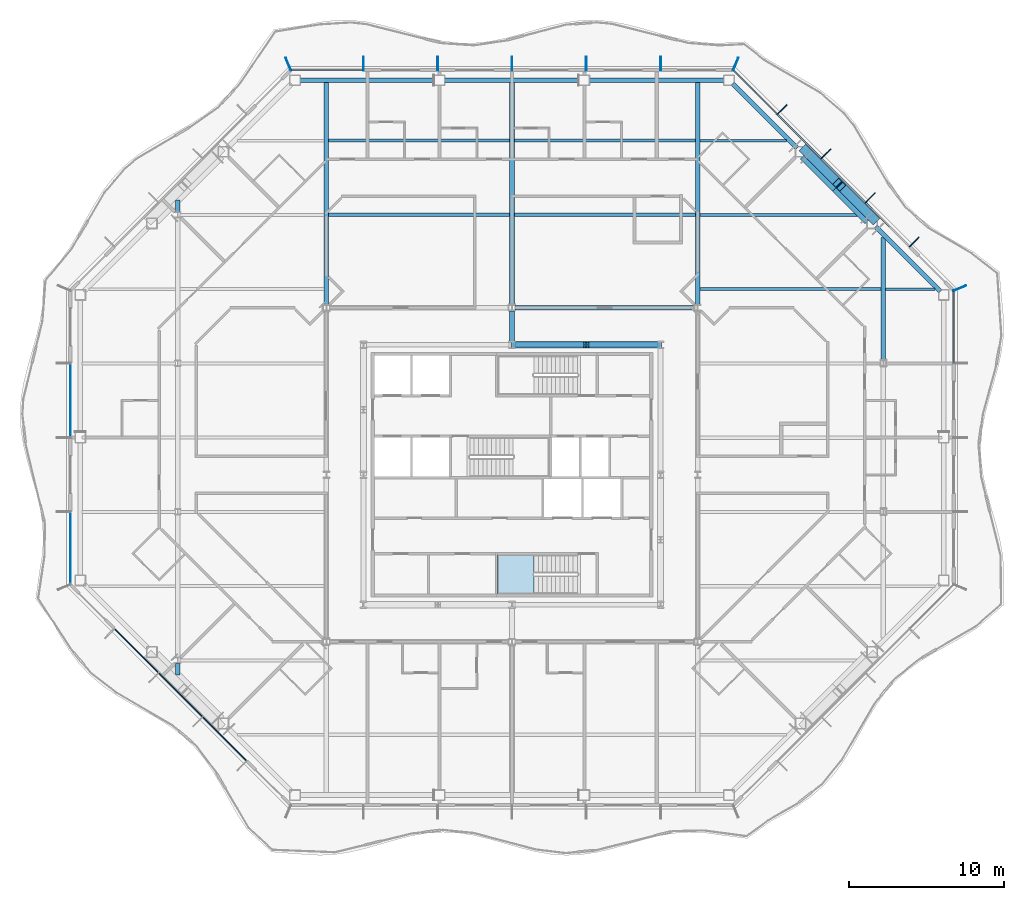
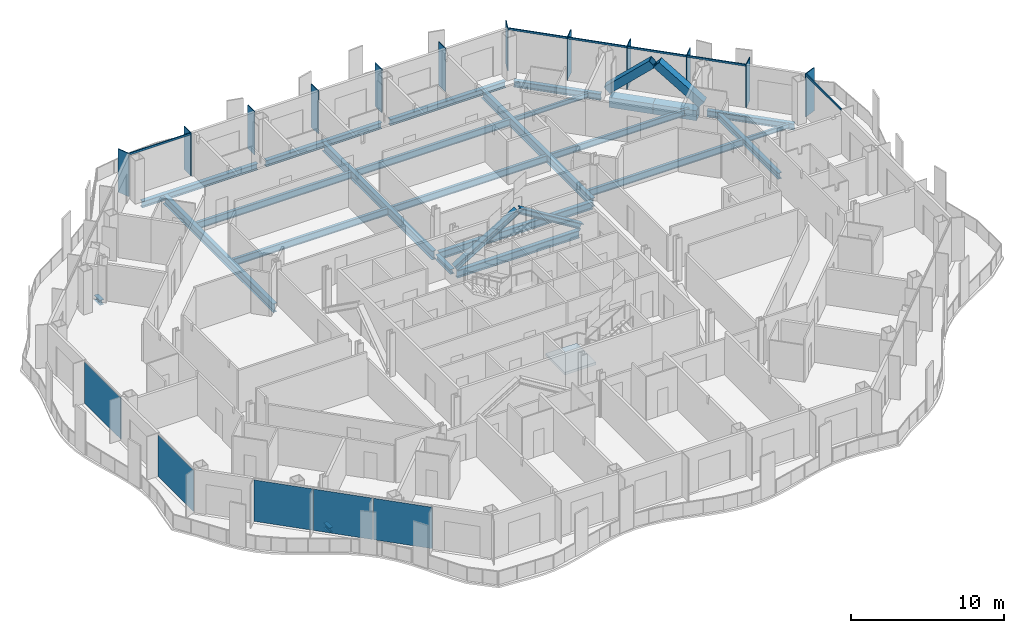
# One storey, part 5 of 21: 24 beams, 22 members, 5 plates, 1 slab, 7 elements without a shape of their own.
"""IFC4 building model written with IfcOpenShell, lengths in metres."""

import ifcopenshell
import ifcopenshell.guid

model = None  # the IFC model being written
_history = None  # IfcOwnerHistory: only IFC2X3 demands one
_inside = {}  # id of a spatial element -> (the spatial element, [elements in it])
_under = {}  # id of a project, library or spatial element -> (it, [spatial elements below it])
_declared = {}  # id of a project -> (the project, [libraries it declares])
_typed = {}  # id of a type object -> (the type object, [elements of that type])
_made_of = {}  # id of a material, layer set ... -> (it, [elements and type objects made of it])


def new_model(schema):
    """Start an empty IFC model of exactly this schema.

    Asked for "IFC4X3", IfcOpenShell would pick the latest addendum, in which some entities
    have other attributes; the version numbers below select the first issue.
    IFC2X3 requires an IfcOwnerHistory on every rooted entity: one is made here for all.
    """
    global model, _history
    if schema == "IFC4X3":
        model = ifcopenshell.file(schema_version=(4, 3, 0, 0))
    else:
        model = ifcopenshell.file(schema=schema)
    _inside.clear()
    _under.clear()
    _declared.clear()
    _typed.clear()
    _made_of.clear()
    _history = None
    if model.schema == "IFC2X3":
        org = make("IfcOrganization", Name="unknown")
        user = make(
            "IfcPersonAndOrganization",
            ThePerson=make("IfcPerson", FamilyName="unknown"),
            TheOrganization=org,
        )
        app = make(
            "IfcApplication",
            ApplicationDeveloper=org,
            Version="unknown",
            ApplicationFullName="unknown",
            ApplicationIdentifier="unknown",
        )
        _history = make(
            "IfcOwnerHistory",
            OwningUser=user,
            OwningApplication=app,
            ChangeAction="ADDED",
            CreationDate=0,
        )
    return model


def make(cls, **values):
    """One entity of the class cls with the attributes given. An attribute that is None is left unset."""
    return model.create_entity(
        cls, **{name: value for name, value in values.items() if value is not None}
    )


def rooted(cls, **values):
    """An entity with a GlobalId (a new one), such as an element, a storey or a relation."""
    return make(cls, GlobalId=ifcopenshell.guid.new(), OwnerHistory=_history, **values)


def si_unit(unit_type, name, prefix=None):
    """IfcSIUnit, for example si_unit("LENGTHUNIT", "METRE", prefix="MILLI")."""
    return make("IfcSIUnit", UnitType=unit_type, Prefix=prefix, Name=name)


def assignment(units):
    """IfcUnitAssignment: the units of a project."""
    return None if units is None else make("IfcUnitAssignment", Units=units)


def point(xyz):
    """IfcCartesianPoint."""
    return None if xyz is None else make("IfcCartesianPoint", Coordinates=xyz)


def direction(xyz):
    """IfcDirection."""
    return None if xyz is None else make("IfcDirection", DirectionRatios=xyz)


def frame(location, z_axis=None, x_axis=None):
    """IfcAxis2Placement3D, a coordinate frame: its origin and axes. An axis left out is left unset."""
    return make(
        "IfcAxis2Placement3D",
        Location=point(location),
        Axis=direction(z_axis),
        RefDirection=direction(x_axis),
    )


def frame_2d(location, x_axis=None):
    """IfcAxis2Placement2D, a coordinate frame in the plane: its origin and x axis."""
    return make(
        "IfcAxis2Placement2D", Location=point(location), RefDirection=direction(x_axis)
    )


def origin():
    """The frame at (0, 0, 0) with its axes left unset."""
    return frame((0.0, 0.0, 0.0))


def origin_2d():
    """The frame at (0, 0) in the plane with its x axis left unset."""
    return frame_2d((0.0, 0.0))


def place(relative_to, where):
    """IfcLocalPlacement: puts the frame where relative to a parent placement (None: the world)."""
    return make(
        "IfcLocalPlacement", PlacementRelTo=relative_to, RelativePlacement=where
    )


def context(
    kind, dimensions, precision=None, world=None, true_north=None, identifier=None
):
    """IfcGeometricRepresentationContext, for example the 3D "Model" context."""
    return make(
        "IfcGeometricRepresentationContext",
        ContextIdentifier=identifier,
        ContextType=kind,
        CoordinateSpaceDimension=dimensions,
        Precision=precision,
        WorldCoordinateSystem=world,
        TrueNorth=true_north,
    )


def subcontext(parent, identifier, kind, view, scale=None):
    """IfcGeometricRepresentationSubContext, for example "Body" below "Model"."""
    return make(
        "IfcGeometricRepresentationSubContext",
        ContextIdentifier=identifier,
        ContextType=kind,
        ParentContext=parent,
        TargetScale=scale,
        TargetView=view,
    )


def project(units=None, contexts=None):
    """IfcProject with its units and contexts."""
    return rooted(
        "IfcProject",
        Name="project",
        RepresentationContexts=contexts,
        UnitsInContext=assignment(units),
    )


def spatial(cls, under=None, at=None, **own):
    """A site, building, storey or space (cls), placed at a placement, below another one or the project."""
    s = rooted(cls, ObjectPlacement=at, **own)
    if under is not None:
        _under.setdefault(under.id(), (under, []))[1].append(s)
    return s


def polyline(points):
    """IfcPolyline through the points."""
    return make("IfcPolyline", Points=[point(p) for p in points])


def profile(cls, at=None, kind="AREA", **sizes):
    """A parametric profile (cls). Its sizes go by their IFC names, for example OverallWidth=200.0."""
    return make(cls, ProfileType=kind, Position=at, **sizes)


def rectangle(**sizes):
    """IfcRectangleProfileDef."""
    return profile("IfcRectangleProfileDef", **sizes)


def hollow_rectangle(**sizes):
    """IfcRectangleHollowProfileDef."""
    return profile("IfcRectangleHollowProfileDef", **sizes)


def i_section(**sizes):
    """IfcIShapeProfileDef."""
    return profile("IfcIShapeProfileDef", **sizes)


def outline(outer, holes=None, kind="AREA"):
    """IfcArbitraryClosedProfileDef: a profile drawn as a closed curve; with holes, ...WithVoids."""
    if holes is None:
        return make("IfcArbitraryClosedProfileDef", ProfileType=kind, OuterCurve=outer)
    return make(
        "IfcArbitraryProfileDefWithVoids",
        ProfileType=kind,
        OuterCurve=outer,
        InnerCurves=holes,
    )


def extrude(swept, where, along, depth):
    """IfcExtrudedAreaSolid: the profile swept, set in the frame where, extruded along a direction by depth."""
    return make(
        "IfcExtrudedAreaSolid",
        SweptArea=swept,
        Position=where,
        ExtrudedDirection=direction(along),
        Depth=depth,
    )


def shape(context_of_items, identifier, shape_type, items):
    """IfcShapeRepresentation: the items that make up one representation, for example the "Body"."""
    return make(
        "IfcShapeRepresentation",
        ContextOfItems=context_of_items,
        RepresentationIdentifier=identifier,
        RepresentationType=shape_type,
        Items=items,
    )


def material(Name=None, Category=None):
    """IfcMaterial."""
    return make("IfcMaterial", Name=Name, Category=Category)


def layer(
    of_material, thickness, ventilated=None, Name=None, Category=None, Priority=None
):
    """IfcMaterialLayer: one layer of a wall or slab, of a material (None: an air gap)."""
    return make(
        "IfcMaterialLayer",
        Material=of_material,
        LayerThickness=thickness,
        IsVentilated=ventilated,
        Name=Name,
        Category=Category,
        Priority=Priority,
    )


def layer_set(layers, Name=None):
    """IfcMaterialLayerSet."""
    return make("IfcMaterialLayerSet", MaterialLayers=layers, LayerSetName=Name)


def material_profile(
    of_material, cross_section, Name=None, Category=None, Priority=None
):
    """IfcMaterialProfile: a cross section and its material."""
    return make(
        "IfcMaterialProfile",
        Name=Name,
        Material=of_material,
        Profile=cross_section,
        Priority=Priority,
        Category=Category,
    )


def profile_set(profiles, Name=None, composite=None):
    """IfcMaterialProfileSet."""
    return make(
        "IfcMaterialProfileSet",
        Name=Name,
        MaterialProfiles=profiles,
        CompositeProfile=composite,
    )


def made_of(thing, what):
    """Note that an element or type object is made of a material, layer set ...; save() writes the relation."""
    if what is not None:
        _made_of.setdefault(what.id(), (what, []))[1].append(thing)
    return thing


def type_object(cls, material=None, **own):
    """A type object (cls), such as IfcWallType, which elements share."""
    return made_of(rooted(cls, **own), material)


def element(
    cls,
    number,
    at=None,
    inside=None,
    cuts=None,
    type_object=None,
    material=None,
    context=None,
    identifier="Body",
    shape_type=None,
    held_by="IfcProductDefinitionShape",
    body=None,
    shapes=None,
    **own,
):
    """One element of the class cls, such as IfcWall. Its Tag is "e" and its number.

    at: its placement. inside: the storey or other place that contains it. cuts: it is an
    opening in that element (IfcRelVoidsElement). A single representation is given by context,
    identifier, shape_type and body (its items); several are given by shapes. held_by: the class
    of the entity that holds the representations. save() writes the other relations.
    """
    e = rooted(cls, Tag="e%d" % number, ObjectPlacement=at, **own)
    if body is not None:
        shapes = [shape(context, identifier, shape_type, body)]
    if shapes is not None:
        e.Representation = make(held_by, Representations=shapes)
    if inside is not None:
        _inside.setdefault(inside.id(), (inside, []))[1].append(e)
    if cuts is not None:
        rooted(
            "IfcRelVoidsElement", RelatingBuildingElement=cuts, RelatedOpeningElement=e
        )
    if type_object is not None:
        _typed.setdefault(type_object.id(), (type_object, []))[1].append(e)
    return made_of(e, material)


def aggregate(whole, parts):
    """IfcRelAggregates: a whole, such as a stair, and the parts it consists of."""
    return rooted("IfcRelAggregates", RelatingObject=whole, RelatedObjects=parts)


def save(model, path):
    """Write the relations noted so far, then the file.

    IfcRelAggregates (storeys below a building ...), IfcRelContainedInSpatialStructure (elements
    in a storey), IfcRelDefinesByType, IfcRelAssociatesMaterial and IfcRelDeclares: one each for
    every whole, place, type object, material and project.
    """
    for whole, parts in _under.values():
        aggregate(whole, parts)
    for where, things in _inside.values():
        rooted(
            "IfcRelContainedInSpatialStructure",
            RelatedElements=things,
            RelatingStructure=where,
        )
    for kind, things in _typed.values():
        rooted("IfcRelDefinesByType", RelatedObjects=things, RelatingType=kind)
    for what, things in _made_of.values():
        rooted("IfcRelAssociatesMaterial", RelatedObjects=things, RelatingMaterial=what)
    for by, libraries in _declared.values():
        rooted("IfcRelDeclares", RelatingContext=by, RelatedDefinitions=libraries)
    model.write(path)


model = new_model("IFC4")

# Units and contexts
model_context = context("Model", 3, precision=1e-05, world=origin(), true_north=direction((0.0, 1.0)))
body_context = subcontext(model_context, "Body", "Model", "MODEL_VIEW")
ifc_project = project(units=[si_unit("LENGTHUNIT", "METRE"), si_unit("AREAUNIT", "SQUARE_METRE"), si_unit("VOLUMEUNIT", "CUBIC_METRE"), si_unit("PLANEANGLEUNIT", "RADIAN"), si_unit("MASSUNIT", "GRAM", prefix="KILO")], contexts=[model_context])

# Site, building, storey
site_placement = place(None, origin())
site = spatial("IfcSite", under=ifc_project, at=site_placement, CompositionType="ELEMENT")
building_placement = place(site_placement, origin())
building = spatial("IfcBuilding", under=site, at=building_placement, Name="Cairn Pilgrim Tower", CompositionType="ELEMENT")
storey_placement = place(building_placement, frame((0.0, 0.0, 136.199951171875)))
storey = spatial("IfcBuildingStorey", under=building, at=storey_placement, Name="L33", CompositionType="ELEMENT", Elevation=136.199951171875)

# Members
ifc_material_1 = material(Name="Structural steel S460M", Category="steel")
ifc_material_profile_1 = material_profile(ifc_material_1, hollow_rectangle(XDim=0.60009765625, YDim=0.60009765625, WallThickness=0.034912109375, at=origin_2d()), Name="BOX 600x600x35")
ifc_profile_set_1 = profile_set([ifc_material_profile_1], Name="Structural steel S460M")
member_type_1 = type_object("IfcMemberType", Name="BOX 600x600x35 BRACE", PredefinedType="BRACE", material=ifc_profile_set_1)
for number, where, z_axis, x_axis, name in (
    (1, (30.613525390625, 18.888427734375, 0.150146484375), (-0.535551349337, 0.535551349337, 0.652969757681), (-0.707106781187, -0.707106781187, 0.0), "XB-NE2-NE3-1"),
    (2, (26.08837890625, 23.41357421875, 0.150146484375), (0.535594490476, -0.535533998665, 0.652948602913), (0.707066846316, 0.707146713802, 0.0), "XB-NE2-NE3-2"),
):
    element("IfcMember", number, at=place(storey_placement, frame(where, z_axis=z_axis, x_axis=x_axis)), inside=storey, type_object=member_type_1, Name=name, PredefinedType="BRACE", context=body_context, shape_type="SweptSolid", body=[
        extrude(hollow_rectangle(XDim=0.60009765625, YDim=0.60009765625, WallThickness=0.034912109375, at=origin_2d()), origin(), (0.0, 0.0, 1.0), 4.035888671875),
    ])

# Beams
ifc_material_2 = material(Name="Structural steel S355J2", Category="steel")
ifc_material_profile_2 = material_profile(ifc_material_2, hollow_rectangle(XDim=0.699951171875, YDim=0.800048828125, WallThickness=0.0400390625, at=origin_2d()), Name="BOX 700x800x40")
ifc_profile_set_2 = profile_set([ifc_material_profile_2], Name="Structural steel S355J2")
beam_type_1 = type_object("IfcBeamType", Name="BOX 700x800x40 RING GIRDER", PredefinedType="SPANDREL", material=ifc_profile_set_2)
for number, where, z_axis, x_axis, name in (
    (3, (30.2529296875, 18.874267578125, -0.550048828125), (-0.707106781187, 0.707106781187, 0.0), (-0.707106781187, -0.707106781187, 0.0), "RG2-NE2-NE3-1"),
    (4, (28.16357421875, 20.963623046875, -0.550048828125), (-0.707106781187, 0.707106781187, 0.0), (-0.707106781187, -0.707106781187, 0.0), "RG2-NE2-NE3-2"),
):
    element("IfcBeam", number, at=place(storey_placement, frame(where, z_axis=z_axis, x_axis=x_axis)), inside=storey, type_object=beam_type_1, Name=name, PredefinedType="SPANDREL", context=body_context, shape_type="SweptSolid", body=[
        extrude(hollow_rectangle(XDim=0.699951171875, YDim=0.800048828125, WallThickness=0.0400390625, at=origin_2d()), origin(), (0.0, 0.0, 1.0), 2.954833984375),
    ])

# Curtain wall, members
ifc_material_3 = material(Name="Aluminium alloy 6063-T6 bronze anodised with Bronze tinted laminated low-E glass 8+16+8.8", Category="aluminium")
curtain_wall_type_1 = type_object("IfcCurtainWallType", Name="CHAMFER CORNER CURTAIN WALL", PredefinedType="NOTDEFINED", material=ifc_material_3)
curtain_wall_1_placement = place(storey_placement, origin())
curtain_wall_1 = element("IfcCurtainWall", 5, at=curtain_wall_1_placement, inside=storey, type_object=curtain_wall_type_1, Name="Chamfer Corner Curtain Wall NE", PredefinedType="NOTDEFINED")
ifc_material_4 = material(Name="Aluminium alloy 6063-T6 bronze anodised", Category="aluminium")
ifc_material_profile_3 = material_profile(ifc_material_4, rectangle(XDim=0.89990234375, YDim=0.06005859375, at=origin_2d()), Name="FIN MULLION 60x900 BRONZE")
ifc_profile_set_3 = profile_set([ifc_material_profile_3], Name="Aluminium alloy 6063-T6 bronze anodised")
member_type_2 = type_object("IfcMemberType", Name="FIN MULLION 60x900 BRONZE", PredefinedType="MULLION", material=ifc_profile_set_3)
member_1_placement = place(storey_placement, frame((36.137939453125, 14.457275390625, 0.0), z_axis=(0.0, 0.0, 1.0), x_axis=(0.923879532511, 0.382683432365, 0.0)))
member_1 = element("IfcMember", 6, at=member_1_placement, type_object=member_type_2, Name="Fin mullion NE1", PredefinedType="MULLION", context=body_context, shape_type="SweptSolid", body=[
    extrude(rectangle(XDim=0.89990234375, YDim=0.06005859375, at=origin_2d()), origin(), (0.0, 0.0, 1.0), 3.449951171875),
])
member_2_placement = place(storey_placement, frame((33.1962890625, 17.444091796875, 0.0), z_axis=(0.0, 0.0, 1.0), x_axis=(0.707106781187, 0.707106781187, 0.0)))
member_2 = element("IfcMember", 7, at=member_2_placement, type_object=member_type_2, Name="Fin mullion NE2", PredefinedType="MULLION", context=body_context, shape_type="SweptSolid", body=[
    extrude(rectangle(XDim=0.89990234375, YDim=0.06005859375, at=origin_2d()), origin(), (0.0, 0.0, 1.0), 3.449951171875),
])
member_3_placement = place(storey_placement, frame((30.345458984375, 20.294921875, 0.0), z_axis=(0.0, 0.0, 1.0), x_axis=(0.707106781187, 0.707106781187, 0.0)))
member_3 = element("IfcMember", 8, at=member_3_placement, type_object=member_type_2, Name="Fin mullion NE3", PredefinedType="MULLION", context=body_context, shape_type="SweptSolid", body=[
    extrude(rectangle(XDim=0.89990234375, YDim=0.06005859375, at=origin_2d()), origin(), (0.0, 0.0, 1.0), 3.449951171875),
])
member_4_placement = place(storey_placement, frame((27.494873046875, 23.1455078125, 0.0), z_axis=(0.0, 0.0, 1.0), x_axis=(0.707106781187, 0.707106781187, 0.0)))
member_4 = element("IfcMember", 9, at=member_4_placement, type_object=member_type_2, Name="Fin mullion NE4", PredefinedType="MULLION", context=body_context, shape_type="SweptSolid", body=[
    extrude(rectangle(XDim=0.89990234375, YDim=0.06005859375, at=origin_2d()), origin(), (0.0, 0.0, 1.0), 3.449951171875),
])
member_5_placement = place(storey_placement, frame((24.64404296875, 25.996337890625, 0.0), z_axis=(0.0, 0.0, 1.0), x_axis=(0.707106781187, 0.707106781187, 0.0)))
member_5 = element("IfcMember", 10, at=member_5_placement, type_object=member_type_2, Name="Fin mullion NE5", PredefinedType="MULLION", context=body_context, shape_type="SweptSolid", body=[
    extrude(rectangle(XDim=0.89990234375, YDim=0.06005859375, at=origin_2d()), origin(), (0.0, 0.0, 1.0), 3.449951171875),
])

curtain_wall_type_2 = type_object("IfcCurtainWallType", Name="TOWER STICK CURTAIN WALL NS", PredefinedType="NOTDEFINED", material=ifc_material_3)
curtain_wall_2_placement = place(storey_placement, origin())
curtain_wall_2 = element("IfcCurtainWall", 11, at=curtain_wall_2_placement, inside=storey, type_object=curtain_wall_type_2, Name="Tower Stick Curtain Wall Ns N", PredefinedType="NOTDEFINED")
member_6_placement = place(storey_placement, frame((21.6572265625, 28.93798828125, 0.0), z_axis=(0.0, 0.0, 1.0), x_axis=(0.382683432365, 0.923879532511, 0.0)))
member_6 = element("IfcMember", 12, at=member_6_placement, type_object=member_type_2, Name="Fin mullion N1", PredefinedType="MULLION", context=body_context, shape_type="SweptSolid", body=[
    extrude(rectangle(XDim=0.89990234375, YDim=0.06005859375, at=origin_2d()), origin(), (0.0, 0.0, 1.0), 3.449951171875),
])
member_7_placement = place(storey_placement, frame((16.800048828125, 28.969970703125, 0.0), z_axis=(0.0, 0.0, 1.0), x_axis=(0.0, 1.0, 0.0)))
member_7 = element("IfcMember", 13, at=member_7_placement, type_object=member_type_2, Name="Fin mullion N2", PredefinedType="MULLION", context=body_context, shape_type="SweptSolid", body=[
    extrude(rectangle(XDim=0.89990234375, YDim=0.06005859375, at=origin_2d()), origin(), (0.0, 0.0, 1.0), 3.449951171875),
])
member_8_placement = place(storey_placement, frame((12.0, 28.969970703125, 0.0), z_axis=(0.0, 0.0, 1.0), x_axis=(0.0, 1.0, 0.0)))
member_8 = element("IfcMember", 14, at=member_8_placement, type_object=member_type_2, Name="Fin mullion N3", PredefinedType="MULLION", context=body_context, shape_type="SweptSolid", body=[
    extrude(rectangle(XDim=0.89990234375, YDim=0.06005859375, at=origin_2d()), origin(), (0.0, 0.0, 1.0), 3.449951171875),
])
member_9_placement = place(storey_placement, frame((7.199951171875, 28.969970703125, 0.0), z_axis=(0.0, 0.0, 1.0), x_axis=(0.0, 1.0, 0.0)))
member_9 = element("IfcMember", 15, at=member_9_placement, type_object=member_type_2, Name="Fin mullion N4", PredefinedType="MULLION", context=body_context, shape_type="SweptSolid", body=[
    extrude(rectangle(XDim=0.89990234375, YDim=0.06005859375, at=origin_2d()), origin(), (0.0, 0.0, 1.0), 3.449951171875),
])
member_10_placement = place(storey_placement, frame((2.39990234375, 28.969970703125, 0.0), z_axis=(0.0, 0.0, 1.0), x_axis=(0.0, 1.0, 0.0)))
member_10 = element("IfcMember", 16, at=member_10_placement, type_object=member_type_2, Name="Fin mullion N5", PredefinedType="MULLION", context=body_context, shape_type="SweptSolid", body=[
    extrude(rectangle(XDim=0.89990234375, YDim=0.06005859375, at=origin_2d()), origin(), (0.0, 0.0, 1.0), 3.449951171875),
])
member_11_placement = place(storey_placement, frame((-2.39990234375, 28.969970703125, 0.0), z_axis=(0.0, 0.0, 1.0), x_axis=(0.0, 1.0, 0.0)))
member_11 = element("IfcMember", 17, at=member_11_placement, type_object=member_type_2, Name="Fin mullion N6", PredefinedType="MULLION", context=body_context, shape_type="SweptSolid", body=[
    extrude(rectangle(XDim=0.89990234375, YDim=0.06005859375, at=origin_2d()), origin(), (0.0, 0.0, 1.0), 3.449951171875),
])

# Curtain wall, member
curtain_wall_3_placement = place(storey_placement, origin())
curtain_wall_3 = element("IfcCurtainWall", 18, at=curtain_wall_3_placement, inside=storey, type_object=curtain_wall_type_1, Name="Chamfer Corner Curtain Wall NW", PredefinedType="NOTDEFINED")
member_12_placement = place(storey_placement, frame((-7.257080078125, 28.93798828125, 0.0), z_axis=(0.0, 0.0, 1.0), x_axis=(-0.382683432365, 0.923879532511, 0.0)))
member_12 = element("IfcMember", 19, at=member_12_placement, type_object=member_type_2, Name="Fin mullion NW1", PredefinedType="MULLION", context=body_context, shape_type="SweptSolid", body=[
    extrude(rectangle(XDim=0.89990234375, YDim=0.06005859375, at=origin_2d()), origin(), (0.0, 0.0, 1.0), 3.449951171875),
])
aggregate(curtain_wall_3, [member_12])

# Members
ifc_material_profile_4 = material_profile(ifc_material_1, i_section(OverallWidth=0.408935546875, OverallDepth=0.425048828125, WebThickness=0.03271484375, FlangeThickness=0.052490234375, FilletRadius=0.014892578125, at=origin_2d()), Name="HD 400x421")
ifc_profile_set_4 = profile_set([ifc_material_profile_4], Name="Structural steel S460M")
member_type_3 = type_object("IfcMemberType", Name="HD 400x421 BRACE", PredefinedType="BRACE", material=ifc_profile_set_4)
for number, where, z_axis, x_axis, name in (
    (20, (16.757568359375, 10.800048828125, 0.10009765625), (-0.851063308605, 0.0, 0.525063086444), (0.0, -1.0, 0.0), "KB-3A"),
    (21, (7.242431640625, 10.800048828125, 0.10009765625), (0.851063308605, 0.0, 0.525063086444), (0.0, 1.0, 0.0), "KB-3B"),
):
    element("IfcMember", number, at=place(storey_placement, frame(where, z_axis=z_axis, x_axis=x_axis)), inside=storey, type_object=member_type_3, Name=name, PredefinedType="BRACE", context=body_context, shape_type="SweptSolid", body=[
        extrude(i_section(OverallWidth=0.408935546875, OverallDepth=0.425048828125, WebThickness=0.03271484375, FlangeThickness=0.052490234375, FilletRadius=0.014892578125, at=origin_2d()), origin(), (0.0, 0.0, 1.0), 5.527587890625),
    ])

# Beams
ifc_material_profile_5 = material_profile(ifc_material_2, i_section(OverallWidth=0.300048828125, OverallDepth=0.39990234375, WebThickness=0.013427734375, FlangeThickness=0.02392578125, FilletRadius=0.027099609375, at=origin_2d()), Name="HEB 400")
ifc_profile_set_5 = profile_set([ifc_material_profile_5], Name="Structural steel S355J2")
beam_type_2 = type_object("IfcBeamType", Name="HEB 400 GIRDER", PredefinedType="BEAM", material=ifc_profile_set_5)
for number, where, z_axis, x_axis, name in (
    (22, (-14.39990234375, -10.545166015625, -0.349853515625), (0.0, 1.0, 0.0), (-1.0, 0.0, 0.0), "PG1-E1"),
    (23, (-14.39990234375, 19.3994140625, -0.349853515625), (0.0, 1.0, 0.0), (-1.0, 0.0, 0.0), "PG1-E2"),
):
    element("IfcBeam", number, at=place(storey_placement, frame(where, z_axis=z_axis, x_axis=x_axis)), inside=storey, type_object=beam_type_2, Name=name, PredefinedType="BEAM", context=body_context, shape_type="SweptSolid", body=[
        extrude(i_section(OverallWidth=0.300048828125, OverallDepth=0.39990234375, WebThickness=0.013427734375, FlangeThickness=0.02392578125, FilletRadius=0.027099609375, at=origin_2d()), origin(), (0.0, 0.0, 1.0), 0.74560546875),
    ])
beam_1_placement = place(storey_placement, frame((7.199951171875, 11.011962890625, -0.349853515625), z_axis=(0.0, 1.0, 0.0), x_axis=(-1.0, 0.0, 0.0)))
element("IfcBeam", 24, at=beam_1_placement, inside=storey, type_object=beam_type_2, Name="PG3-E2", PredefinedType="BEAM", context=body_context, shape_type="SweptSolid", body=[
    extrude(i_section(OverallWidth=0.300048828125, OverallDepth=0.39990234375, WebThickness=0.013427734375, FlangeThickness=0.02392578125, FilletRadius=0.027099609375, at=origin_2d()), origin(), (0.0, 0.0, 1.0), 1.983642578125),
])
ifc_material_profile_6 = material_profile(ifc_material_2, i_section(OverallWidth=0.300048828125, OverallDepth=0.5, WebThickness=0.014404296875, FlangeThickness=0.028076171875, FilletRadius=0.027099609375, at=origin_2d()), Name="HEB 500")
ifc_profile_set_6 = profile_set([ifc_material_profile_6], Name="Structural steel S355J2")
beam_type_3 = type_object("IfcBeamType", Name="HEB 500 GIRDER", PredefinedType="BEAM", material=ifc_profile_set_6)
beam_2_placement = place(storey_placement, frame((31.199951171875, 9.804443359375, -0.39990234375), z_axis=(0.0, 1.0, 0.0), x_axis=(-1.0, 0.0, 0.0)))
element("IfcBeam", 25, at=beam_2_placement, inside=storey, type_object=beam_type_3, Name="PG5-3", PredefinedType="BEAM", context=body_context, shape_type="SweptSolid", body=[
    extrude(i_section(OverallWidth=0.300048828125, OverallDepth=0.5, WebThickness=0.014404296875, FlangeThickness=0.028076171875, FilletRadius=0.027099609375, at=origin_2d()), origin(), (0.0, 0.0, 1.0), 7.940673828125),
])
ifc_material_profile_7 = material_profile(ifc_material_2, i_section(OverallWidth=0.300048828125, OverallDepth=0.5, WebThickness=0.014404296875, FlangeThickness=0.028076171875, FilletRadius=0.027099609375, at=origin_2d()), Name="HEB 500")
ifc_profile_set_7 = profile_set([ifc_material_profile_7], Name="Structural steel S355J2")
beam_type_4 = type_object("IfcBeamType", Name="HEB 500 RING GIRDER", PredefinedType="SPANDREL", material=ifc_profile_set_7)
for number, where, z_axis, x_axis, name in (
    (26, (34.877197265625, 14.25, -0.39990234375), (-0.707106781187, 0.707106781187, 0.0), (-0.707106781187, -0.707106781187, 0.0), "RG2-NE1-NE2"),
    (27, (25.628662109375, 23.49853515625, -0.39990234375), (-0.707106781187, 0.707106781187, 0.0), (-0.707106781187, -0.707106781187, 0.0), "RG2-NE3-N1"),
):
    element("IfcBeam", number, at=place(storey_placement, frame(where, z_axis=z_axis, x_axis=x_axis)), inside=storey, type_object=beam_type_4, Name=name, PredefinedType="SPANDREL", context=body_context, shape_type="SweptSolid", body=[
        extrude(i_section(OverallWidth=0.300048828125, OverallDepth=0.5, WebThickness=0.014404296875, FlangeThickness=0.028076171875, FilletRadius=0.027099609375, at=origin_2d()), origin(), (0.0, 0.0, 1.0), 5.90966796875),
    ])
for number, where, z_axis, x_axis, name in (
    (28, (20.912109375, 27.89990234375, -0.39990234375), (-1.0, 0.0, 0.0), (0.0, -1.0, 0.0), "RG2-N1-N2"),
    (29, (11.560791015625, 27.89990234375, -0.39990234375), (-1.0, 0.0, 0.0), (0.0, -1.0, 0.0), "RG2-N2-N3"),
    (30, (2.209228515625, 27.89990234375, -0.39990234375), (-1.0, 0.0, 0.0), (0.0, -1.0, 0.0), "RG2-N3-NW1"),
):
    element("IfcBeam", number, at=place(storey_placement, frame(where, z_axis=z_axis, x_axis=x_axis)), inside=storey, type_object=beam_type_4, Name=name, PredefinedType="SPANDREL", context=body_context, shape_type="SweptSolid", body=[
        extrude(i_section(OverallWidth=0.300048828125, OverallDepth=0.5, WebThickness=0.014404296875, FlangeThickness=0.028076171875, FilletRadius=0.027099609375, at=origin_2d()), origin(), (0.0, 0.0, 1.0), 8.721435546875),
    ])
ifc_material_profile_8 = material_profile(ifc_material_2, i_section(OverallWidth=0.300048828125, OverallDepth=0.60009765625, WebThickness=0.015380859375, FlangeThickness=0.030029296875, FilletRadius=0.027099609375, at=origin_2d()), Name="HEB 600")
ifc_profile_set_8 = profile_set([ifc_material_profile_8], Name="Structural steel S355J2")
beam_type_5 = type_object("IfcBeamType", Name="HEB 600 CORE BEAM", PredefinedType="BEAM", material=ifc_profile_set_8)
beam_3_placement = place(storey_placement, frame((16.609130859375, 10.800048828125, -0.449951171875), z_axis=(-1.0, 0.0, 0.0), x_axis=(0.0, -1.0, 0.0)))
element("IfcBeam", 31, at=beam_3_placement, inside=storey, type_object=beam_type_5, Name="CB-5", PredefinedType="BEAM", context=body_context, shape_type="SweptSolid", body=[
    extrude(i_section(OverallWidth=0.300048828125, OverallDepth=0.60009765625, WebThickness=0.015380859375, FlangeThickness=0.030029296875, FilletRadius=0.027099609375, at=origin_2d()), origin(), (0.0, 0.0, 1.0), 9.21826171875),
])
ifc_material_profile_9 = material_profile(ifc_material_2, i_section(OverallWidth=0.300048828125, OverallDepth=0.60009765625, WebThickness=0.015380859375, FlangeThickness=0.030029296875, FilletRadius=0.027099609375, at=origin_2d()), Name="HEB 600")
ifc_profile_set_9 = profile_set([ifc_material_profile_9], Name="Structural steel S355J2")
beam_type_6 = type_object("IfcBeamType", Name="HEB 600 INNER GIRDER", PredefinedType="BEAM", material=ifc_profile_set_9)
beam_4_placement = place(storey_placement, frame((7.404541015625, 13.199951171875, -0.449951171875), z_axis=(1.0, 0.0, 0.0), x_axis=(0.0, 1.0, 0.0)))
element("IfcBeam", 32, at=beam_4_placement, inside=storey, type_object=beam_type_6, Name="IG2-2", PredefinedType="BEAM", context=body_context, shape_type="SweptSolid", body=[
    extrude(i_section(OverallWidth=0.300048828125, OverallDepth=0.60009765625, WebThickness=0.015380859375, FlangeThickness=0.030029296875, FilletRadius=0.027099609375, at=origin_2d()), origin(), (0.0, 0.0, 1.0), 11.591064453125),
])
ifc_material_profile_10 = material_profile(ifc_material_2, i_section(OverallWidth=0.300048828125, OverallDepth=0.699951171875, WebThickness=0.01708984375, FlangeThickness=0.031982421875, FilletRadius=0.027099609375, at=origin_2d()), Name="HEB 700")
ifc_profile_set_10 = profile_set([ifc_material_profile_10], Name="Structural steel S355J2")
beam_type_7 = type_object("IfcBeamType", Name="HEB 700 GIRDER", PredefinedType="BEAM", material=ifc_profile_set_10)
for number, where, z_axis, x_axis, name in (
    (33, (-4.800048828125, 13.404541015625, -0.5), (0.0, 1.0, 0.0), (-1.0, 0.0, 0.0), "PG2-4"),
    (34, (7.199951171875, 13.404541015625, -0.5), (0.0, 1.0, 0.0), (-1.0, 0.0, 0.0), "PG3-2"),
    (35, (19.199951171875, 13.404541015625, -0.5), (0.0, 1.0, 0.0), (-1.0, 0.0, 0.0), "PG4-4"),
):
    element("IfcBeam", number, at=place(storey_placement, frame(where, z_axis=z_axis, x_axis=x_axis)), inside=storey, type_object=beam_type_7, Name=name, PredefinedType="BEAM", context=body_context, shape_type="SweptSolid", body=[
        extrude(i_section(OverallWidth=0.300048828125, OverallDepth=0.699951171875, WebThickness=0.01708984375, FlangeThickness=0.031982421875, FilletRadius=0.027099609375, at=origin_2d()), origin(), (0.0, 0.0, 1.0), 14.37548828125),
    ])
ifc_material_profile_11 = material_profile(ifc_material_2, i_section(OverallWidth=0.169921875, OverallDepth=0.360107421875, WebThickness=0.008056640625, FlangeThickness=0.0126953125, FilletRadius=0.01806640625, at=origin_2d()), Name="IPE 360")
ifc_profile_set_11 = profile_set([ifc_material_profile_11], Name="Structural steel S355J2")
beam_type_8 = type_object("IfcBeamType", Name="IPE 360 SECONDARY BEAM", PredefinedType="JOIST", material=ifc_profile_set_11)
beam_5_placement = place(storey_placement, frame((31.35009765625, 14.39990234375, -0.329833984375), z_axis=(1.0, 0.0, 0.0), x_axis=(0.0, 1.0, 0.0)))
element("IfcBeam", 36, at=beam_5_placement, inside=storey, type_object=beam_type_8, Name="SB7-4", PredefinedType="JOIST", context=body_context, shape_type="SweptSolid", body=[
    extrude(i_section(OverallWidth=0.169921875, OverallDepth=0.360107421875, WebThickness=0.008056640625, FlangeThickness=0.0126953125, FilletRadius=0.01806640625, at=origin_2d()), origin(), (0.0, 0.0, 1.0), 3.195068359375),
])
beam_6_placement = place(storey_placement, frame((19.35009765625, 24.0, -0.329833984375), z_axis=(1.0, 0.0, 0.0), x_axis=(0.0, 1.0, 0.0)))
element("IfcBeam", 37, at=beam_6_placement, inside=storey, type_object=beam_type_8, Name="SB9-4", PredefinedType="JOIST", context=body_context, shape_type="SweptSolid", body=[
    extrude(i_section(OverallWidth=0.169921875, OverallDepth=0.360107421875, WebThickness=0.008056640625, FlangeThickness=0.0126953125, FilletRadius=0.01806640625, at=origin_2d()), origin(), (0.0, 0.0, 1.0), 5.594970703125),
])
ifc_material_profile_12 = material_profile(ifc_material_2, i_section(OverallWidth=0.199951171875, OverallDepth=0.5, WebThickness=0.01025390625, FlangeThickness=0.01611328125, FilletRadius=0.02099609375, at=origin_2d()), Name="IPE 500")
ifc_profile_set_12 = profile_set([ifc_material_profile_12], Name="Structural steel S355J2")
beam_type_9 = type_object("IfcBeamType", Name="IPE 500 SECONDARY BEAM", PredefinedType="JOIST", material=ifc_profile_set_12)
beam_7_placement = place(storey_placement, frame((19.35009765625, 19.199951171875, -0.39990234375), z_axis=(1.0, 0.0, 0.0), x_axis=(0.0, 1.0, 0.0)))
element("IfcBeam", 38, at=beam_7_placement, inside=storey, type_object=beam_type_9, Name="SB8-4", PredefinedType="JOIST", context=body_context, shape_type="SweptSolid", body=[
    extrude(i_section(OverallWidth=0.199951171875, OverallDepth=0.5, WebThickness=0.01025390625, FlangeThickness=0.01611328125, FilletRadius=0.02099609375, at=origin_2d()), origin(), (0.0, 0.0, 1.0), 10.39501953125),
])
ifc_material_profile_13 = material_profile(ifc_material_2, i_section(OverallWidth=0.2099609375, OverallDepth=0.550048828125, WebThickness=0.010986328125, FlangeThickness=0.01708984375, FilletRadius=0.02392578125, at=origin_2d()), Name="IPE 550")
ifc_profile_set_13 = profile_set([ifc_material_profile_13], Name="Structural steel S355J2")
beam_type_10 = type_object("IfcBeamType", Name="IPE 550 SECONDARY BEAM", PredefinedType="JOIST", material=ifc_profile_set_13)
for number, where, z_axis, x_axis, name in (
    (39, (19.35009765625, 14.39990234375, -0.425048828125), (1.0, 0.0, 0.0), (0.0, 1.0, 0.0), "SB7-3"),
    (40, (-4.64990234375, 19.199951171875, -0.425048828125), (1.0, 0.0, 0.0), (0.0, 1.0, 0.0), "SB8-2"),
    (41, (7.35009765625, 19.199951171875, -0.425048828125), (1.0, 0.0, 0.0), (0.0, 1.0, 0.0), "SB8-3"),
    (42, (-4.64990234375, 24.0, -0.425048828125), (1.0, 0.0, 0.0), (0.0, 1.0, 0.0), "SB9-2"),
    (43, (7.35009765625, 24.0, -0.425048828125), (1.0, 0.0, 0.0), (0.0, 1.0, 0.0), "SB9-3"),
):
    element("IfcBeam", number, at=place(storey_placement, frame(where, z_axis=z_axis, x_axis=x_axis)), inside=storey, type_object=beam_type_10, Name=name, PredefinedType="JOIST", context=body_context, shape_type="SweptSolid", body=[
        extrude(i_section(OverallWidth=0.2099609375, OverallDepth=0.550048828125, WebThickness=0.010986328125, FlangeThickness=0.01708984375, FilletRadius=0.02392578125, at=origin_2d()), origin(), (0.0, 0.0, 1.0), 11.699951171875),
    ])

# Curtain wall, member
curtain_wall_type_3 = type_object("IfcCurtainWallType", Name="TOWER STICK CURTAIN WALL EW", PredefinedType="NOTDEFINED", material=ifc_material_3)
curtain_wall_4_placement = place(storey_placement, origin())
curtain_wall_4 = element("IfcCurtainWall", 44, at=curtain_wall_4_placement, inside=storey, type_object=curtain_wall_type_3, Name="Tower Stick Curtain Wall Ew E", PredefinedType="NOTDEFINED")
ifc_material_profile_14 = material_profile(ifc_material_4, rectangle(XDim=0.080078125, YDim=0.14990234375, at=origin_2d()), Name="TRANSOM 80x150 BRONZE")
ifc_profile_set_14 = profile_set([ifc_material_profile_14], Name="Aluminium alloy 6063-T6 bronze anodised")
member_type_4 = type_object("IfcMemberType", Name="TRANSOM 80x150 BRONZE", PredefinedType="USERDEFINED", material=ifc_profile_set_14)
member_13_placement = place(storey_placement, frame((35.75, 9.6298828125, 3.375), z_axis=(0.0, 1.0, 0.0), x_axis=(-1.0, 0.0, 0.0)))
member_13 = element("IfcMember", 45, at=member_13_placement, type_object=member_type_4, Name="Transom E4", ObjectType="TRANSOM", PredefinedType="USERDEFINED", context=body_context, shape_type="SweptSolid", body=[
    extrude(rectangle(XDim=0.080078125, YDim=0.14990234375, at=origin_2d()), origin(), (0.0, 0.0, 1.0), 4.62646484375),
])
aggregate(curtain_wall_4, [member_13])

# Member
member_14_placement = place(storey_placement, frame((32.878173828125, 17.16845703125, 3.375), z_axis=(-0.70713751761, 0.707076043427, 0.0), x_axis=(-0.707076043427, -0.70713751761, 0.0)))
member_14 = element("IfcMember", 46, at=member_14_placement, type_object=member_type_4, Name="Transom NE2", ObjectType="TRANSOM", PredefinedType="USERDEFINED", context=body_context, shape_type="SweptSolid", body=[
    extrude(rectangle(XDim=0.080078125, YDim=0.14990234375, at=origin_2d()), origin(), (0.0, 0.0, 1.0), 3.971435546875),
])

member_15_placement = place(storey_placement, frame((30.02734375, 20.01904296875, 3.375), z_axis=(-0.707106781187, 0.707106781187, 0.0), x_axis=(-0.707106781187, -0.707106781187, 0.0)))
member_15 = element("IfcMember", 47, at=member_15_placement, type_object=member_type_4, Name="Transom NE3", ObjectType="TRANSOM", PredefinedType="USERDEFINED", context=body_context, shape_type="SweptSolid", body=[
    extrude(rectangle(XDim=0.080078125, YDim=0.14990234375, at=origin_2d()), origin(), (0.0, 0.0, 1.0), 3.9716796875),
])

member_16_placement = place(storey_placement, frame((27.1767578125, 22.869873046875, 3.375), z_axis=(-0.70713751761, 0.707076043427, 0.0), x_axis=(-0.707076043427, -0.70713751761, 0.0)))
member_16 = element("IfcMember", 48, at=member_16_placement, type_object=member_type_4, Name="Transom NE4", ObjectType="TRANSOM", PredefinedType="USERDEFINED", context=body_context, shape_type="SweptSolid", body=[
    extrude(rectangle(XDim=0.080078125, YDim=0.14990234375, at=origin_2d()), origin(), (0.0, 0.0, 1.0), 3.971435546875),
])

member_17_placement = place(storey_placement, frame((24.325927734375, 25.720458984375, 3.375), z_axis=(-0.707106781187, 0.707106781187, 0.0), x_axis=(-0.707106781187, -0.707106781187, 0.0)))
member_17 = element("IfcMember", 49, at=member_17_placement, type_object=member_type_4, Name="Transom NE5", ObjectType="TRANSOM", PredefinedType="USERDEFINED", context=body_context, shape_type="SweptSolid", body=[
    extrude(rectangle(XDim=0.080078125, YDim=0.14990234375, at=origin_2d()), origin(), (0.0, 0.0, 1.0), 3.961669921875),
])

aggregate(curtain_wall_1, [member_1, member_2, member_3, member_4, member_5, member_14, member_15, member_16, member_17])

member_18_placement = place(storey_placement, frame((-2.429931640625, 28.550048828125, 3.375), z_axis=(-1.0, 0.0, 0.0), x_axis=(0.0, -1.0, 0.0)))
member_18 = element("IfcMember", 50, at=member_18_placement, type_object=member_type_4, Name="Transom N6", ObjectType="TRANSOM", PredefinedType="USERDEFINED", context=body_context, shape_type="SweptSolid", body=[
    extrude(rectangle(XDim=0.080078125, YDim=0.14990234375, at=origin_2d()), origin(), (0.0, 0.0, 1.0), 4.62646484375),
])

aggregate(curtain_wall_2, [member_6, member_7, member_8, member_9, member_10, member_11, member_18])

# Curtain wall, plates
curtain_wall_5_placement = place(storey_placement, origin())
curtain_wall_5 = element("IfcCurtainWall", 51, at=curtain_wall_5_placement, inside=storey, type_object=curtain_wall_type_1, Name="Chamfer Corner Curtain Wall SW", PredefinedType="NOTDEFINED")
ifc_material_5 = material(Name="Bronze anodised aluminium spandrel panel with mineral wool insulation", Category="aluminium")
ifc_layer_1 = layer(ifc_material_5, 0.06005859375)
ifc_layer_set_1 = layer_set([ifc_layer_1], Name="SPANDREL PANEL 3972x3300")
plate_type_1 = type_object("IfcPlateType", Name="SPANDREL PANEL 3972x3300", PredefinedType="CURTAIN_PANEL", material=ifc_layer_set_1)
plate_1_placement = place(storey_placement, frame((-17.073974609375, -8.972412109375, 0.0), z_axis=(0.0, 0.0, 1.0), x_axis=(0.707106781187, -0.707106781187, 0.0)))
plate_1 = element("IfcPlate", 52, at=plate_1_placement, type_object=plate_type_1, Name="Spandrel Panel SW2-1", PredefinedType="CURTAIN_PANEL", context=body_context, shape_type="SweptSolid", body=[
    extrude(rectangle(XDim=3.971435546875, YDim=0.06005859375, at=origin_2d()), origin(), (0.0, 0.0, 1.0), 3.300048828125),
])
plate_2_placement = place(storey_placement, frame((-14.22314453125, -11.8232421875, 0.0), z_axis=(0.0, 0.0, 1.0), x_axis=(0.707106781187, -0.707106781187, 0.0)))
plate_2 = element("IfcPlate", 53, at=plate_2_placement, type_object=plate_type_1, Name="Spandrel Panel SW3-1", PredefinedType="CURTAIN_PANEL", context=body_context, shape_type="SweptSolid", body=[
    extrude(rectangle(XDim=3.971435546875, YDim=0.06005859375, at=origin_2d()), origin(), (0.0, 0.0, 1.0), 3.300048828125),
])
plate_3_placement = place(storey_placement, frame((-11.37255859375, -14.673828125, 0.0), z_axis=(0.0, 0.0, 1.0), x_axis=(0.707106781187, -0.707106781187, 0.0)))
plate_3 = element("IfcPlate", 54, at=plate_3_placement, type_object=plate_type_1, Name="Spandrel Panel SW4-1", PredefinedType="CURTAIN_PANEL", context=body_context, shape_type="SweptSolid", body=[
    extrude(rectangle(XDim=3.971435546875, YDim=0.06005859375, at=origin_2d()), origin(), (0.0, 0.0, 1.0), 3.300048828125),
])
aggregate(curtain_wall_5, [plate_1, plate_2, plate_3])

# Stair, slab
ifc_material_6 = material(Name="Concrete C32/40", Category="concrete")
stair_type = type_object("IfcStairType", Name="EXIT STAIR 1200", PredefinedType="HALF_TURN_STAIR", material=ifc_material_6)
stair_placement = place(storey_placement, origin())
stair = element("IfcStair", 55, at=stair_placement, inside=storey, type_object=stair_type, Name="L33 Exit Stair A", PredefinedType="HALF_TURN_STAIR")
ifc_layer_2 = layer(ifc_material_6, 0.199951171875)
ifc_layer_set_2 = layer_set([ifc_layer_2], Name="STAIR LANDING 200")
slab_type = type_object("IfcSlabType", Name="STAIR LANDING 200", PredefinedType="LANDING", material=ifc_layer_set_2)
slab_placement = place(storey_placement, frame((0.0, 0.0, 1.60009765625)))
slab = element("IfcSlab", 56, at=slab_placement, type_object=slab_type, Name="ST-A landing 1", PredefinedType="LANDING", context=body_context, shape_type="SweptSolid", body=[
    extrude(outline(polyline([(8.625, -2.77490234375), (6.27490234375, -2.77490234375), (6.27490234375, -5.300048828125), (8.625, -5.300048828125), (8.625, -2.77490234375)])), origin(), (0.0, 0.0, 1.0), 0.199951171875),
])
aggregate(stair, [slab])

# Curtain wall, plates
curtain_wall_6_placement = place(storey_placement, origin())
curtain_wall_6 = element("IfcCurtainWall", 57, at=curtain_wall_6_placement, inside=storey, type_object=curtain_wall_type_3, Name="Tower Stick Curtain Wall Ew W", PredefinedType="NOTDEFINED")
ifc_material_7 = material(Name="Bronze tinted laminated low-E glass 8+16+8.8", Category="glass")
ifc_layer_3 = layer(ifc_material_7, 0.033935546875)
ifc_layer_set_3 = layer_set([ifc_layer_3], Name="VISION GLAZING 4626x3300")
plate_type_2 = type_object("IfcPlateType", Name="VISION GLAZING 4626x3300", PredefinedType="CURTAIN_PANEL", material=ifc_layer_set_3)
plate_4_placement = place(storey_placement, frame((-21.35009765625, -2.34326171875, 0.0), z_axis=(0.0, 0.0, 1.0), x_axis=(0.0, -1.0, 0.0)))
plate_4 = element("IfcPlate", 58, at=plate_4_placement, type_object=plate_type_2, Name="Vision Glazing W4-1", PredefinedType="CURTAIN_PANEL", context=body_context, shape_type="SweptSolid", body=[
    extrude(rectangle(XDim=4.62646484375, YDim=0.033935546875, at=origin_2d()), origin(), (0.0, 0.0, 1.0), 3.300048828125),
])
ifc_layer_4 = layer(ifc_material_7, 0.033935546875)
ifc_layer_set_4 = layer_set([ifc_layer_4], Name="VISION GLAZING 4740x3300")
plate_type_3 = type_object("IfcPlateType", Name="VISION GLAZING 4740x3300", PredefinedType="CURTAIN_PANEL", material=ifc_layer_set_4)
plate_5_placement = place(storey_placement, frame((-21.35009765625, 7.199951171875, 0.0), z_axis=(0.0, 0.0, 1.0), x_axis=(0.0, -1.0, 0.0)))
plate_5 = element("IfcPlate", 59, at=plate_5_placement, type_object=plate_type_3, Name="Vision Glazing W2-1", PredefinedType="CURTAIN_PANEL", context=body_context, shape_type="SweptSolid", body=[
    extrude(rectangle(XDim=4.739990234375, YDim=0.033935546875, at=origin_2d()), origin(), (0.0, 0.0, 1.0), 3.300048828125),
])
aggregate(curtain_wall_6, [plate_5, plate_4])

save(model, "model.ifc")
